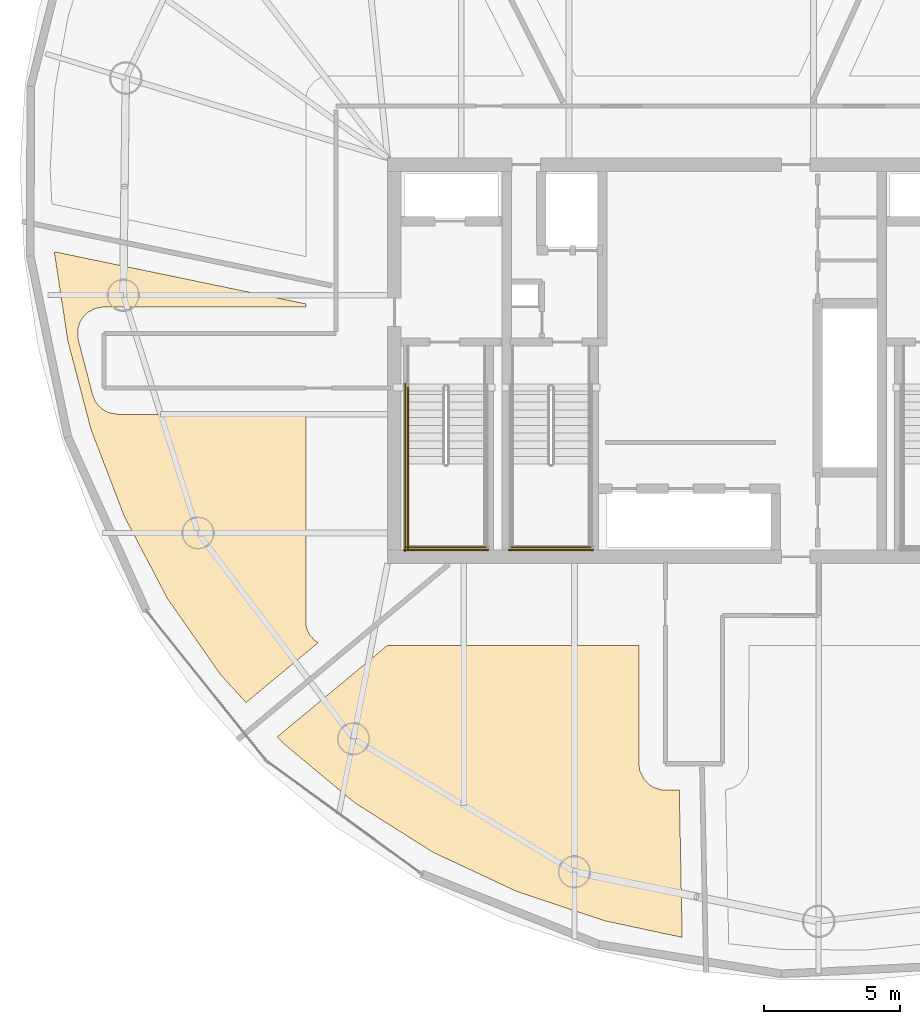
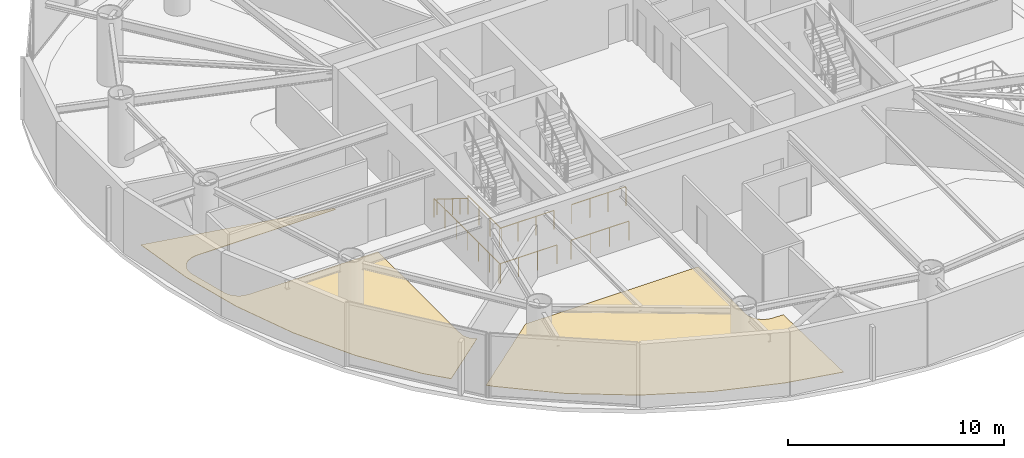
# One storey, part 15 of 18: 7 railings, 2 coverings.
"""IFC4 building model written with IfcOpenShell, lengths in metres."""

from ifc_helpers import new_model, si_unit, direction, frame, origin, origin_2d, place, context, subcontext, project, spatial, polyline, circle, outline, extrude, material, layer, layer_set, type_object, element, save


model = new_model("IFC4")

# Units and contexts
model_context = context("Model", 3, precision=1e-05, world=origin(), true_north=direction((0.0, 1.0)))
body_context = subcontext(model_context, "Body", "Model", "MODEL_VIEW")
ifc_project = project(units=[si_unit("LENGTHUNIT", "METRE"), si_unit("AREAUNIT", "SQUARE_METRE"), si_unit("VOLUMEUNIT", "CUBIC_METRE"), si_unit("PLANEANGLEUNIT", "RADIAN"), si_unit("MASSUNIT", "GRAM", prefix="KILO")], contexts=[model_context])

# Site, building, storey
site_placement = place(None, origin())
site = spatial("IfcSite", under=ifc_project, at=site_placement, CompositionType="ELEMENT")
building_placement = place(site_placement, origin())
building = spatial("IfcBuilding", under=site, at=building_placement, Name="Bramvorn Convention Spire", CompositionType="ELEMENT")
storey_placement = place(building_placement, frame((0.0, 0.0, 205.85009765625)))
storey = spatial("IfcBuildingStorey", under=building, at=storey_placement, Name="L52", CompositionType="ELEMENT", Elevation=205.85009765625)

# Coverings
ifc_material_1 = material(Name="Honed Dolomitic Limestone Terrazzo Flooring", Category="masonry")
ifc_layer = layer(ifc_material_1, 0.02490234375)
ifc_layer_set = layer_set([ifc_layer], Name="Honed Dolomitic Limestone Terrazzo Flooring - FLR-TERRAZZO-25")
covering_type = type_object("IfcCoveringType", Name="FLR-TERRAZZO-25", PredefinedType="FLOORING", material=ifc_layer_set)
covering_1_placement = place(storey_placement, origin())
element("IfcCovering", 1, at=covering_1_placement, inside=storey, type_object=covering_type, Name="L52 C-Suite Meeting Boardroom 4 raised floor finish", PredefinedType="FLOORING", context=body_context, shape_type="SweptSolid", body=[
    extrude(outline(polyline([(20.615478515625, 14.470703125), (21.55419921875, 13.4443359375), (24.2060546875, 15.647216796875), (24.060791015625, 15.742919921875), (23.893310546875, 15.927734375), (23.78662109375, 16.1533203125), (23.754150390625, 16.316650390625), (23.75, 24.030029296875), (16.855224609375, 24.030029296875), (16.513427734375, 24.09228515625), (16.338134765625, 24.179443359375), (16.12451171875, 24.3623046875), (16.011474609375, 24.52197265625), (15.928955078125, 24.712646484375), (15.374267578125, 26.84423828125), (15.376953125, 27.17041015625), (15.46435546875, 27.433837890625), (15.622802734375, 27.661865234375), (15.77099609375, 27.79150390625), (16.00732421875, 27.9140625), (16.279541015625, 27.968505859375), (23.75, 27.969970703125), (23.75, 28.086669921875), (14.51123046875, 30.002197265625), (15.009521484375, 26.71728515625), (15.85888671875, 23.476806640625), (17.074951171875, 20.30078125), (18.662109375, 17.273681640625), (20.615478515625, 14.470703125)])), origin(), (0.0, 0.0, 1.0), 0.02490234375),
])
covering_2_placement = place(storey_placement, origin())
element("IfcCovering", 2, at=covering_2_placement, inside=storey, type_object=covering_type, Name="L52 Managing Director Office 5 raised floor finish", PredefinedType="FLOORING", context=body_context, shape_type="SweptSolid", body=[
    extrude(outline(polyline([(37.572265625, 4.820556640625), (37.46435546875, 10.22998046875), (36.8134765625, 10.23974609375), (36.530029296875, 10.32568359375), (36.367431640625, 10.424560546875), (36.174560546875, 10.617431640625), (36.010498046875, 10.95849609375), (35.97998046875, 11.199951171875), (35.97998046875, 15.550048828125), (26.74951171875, 15.550048828125), (22.70263671875, 12.1884765625), (22.91748046875, 11.953857421875), (25.5361328125, 9.768310546875), (28.424560546875, 7.9443359375), (31.520751953125, 6.49609375), (34.748779296875, 5.42529296875), (37.572265625, 4.820556640625)])), origin(), (0.0, 0.0, 1.0), 0.02490234375),
])

# Railings
ifc_material_2 = material(Name="Painted Steel Balustrade & Guardrail", Category="steel")
railing_type_1 = type_object("IfcRailingType", Name="RL-STAIR-GUARD-1100", PredefinedType="GUARDRAIL", material=ifc_material_2)
railing_1_placement = place(storey_placement, frame((27.5, 22.199951171875, 1.9248046875)))
element("IfcRailing", 3, at=railing_1_placement, inside=storey, type_object=railing_type_1, Name="L52 ST1 stair guard 3", PredefinedType="GUARDRAIL", context=body_context, shape_type="SweptSolid", body=[
    extrude(circle(Radius=0.02392578125, at=origin_2d()), frame((0.0, 0.0, 1.076171875), z_axis=(0.0, -1.0, 0.0), x_axis=(1.0, 0.0, 0.0)), (0.0, 0.0, 1.0), 3.099853515625),
    extrude(circle(Radius=0.02099609375, at=origin_2d()), origin(), (0.0, 0.0, 1.0), 1.052001953125),
    extrude(circle(Radius=0.02099609375, at=origin_2d()), frame((0.0, -1.033203125, 0.0)), (0.0, 0.0, 1.0), 1.052001953125),
    extrude(circle(Radius=0.02099609375, at=origin_2d()), frame((0.0, -2.066650390625, 0.0)), (0.0, 0.0, 1.0), 1.052001953125),
    extrude(circle(Radius=0.02099609375, at=origin_2d()), frame((0.0, -3.099853515625, 0.0)), (0.0, 0.0, 1.0), 1.052001953125),
])
railing_2_placement = place(storey_placement, frame((27.449951171875, 19.14990234375, 1.9248046875)))
element("IfcRailing", 4, at=railing_2_placement, inside=storey, type_object=railing_type_1, Name="L52 ST1 stair guard 5", PredefinedType="GUARDRAIL", context=body_context, shape_type="SweptSolid", body=[
    extrude(circle(Radius=0.02392578125, at=origin_2d()), frame((0.0, 0.0, 1.076171875), z_axis=(1.0, 0.0, 0.0), x_axis=(0.0, 1.0, 0.0)), (0.0, 0.0, 1.0), 2.900146484375),
    extrude(circle(Radius=0.02099609375, at=origin_2d()), origin(), (0.0, 0.0, 1.0), 1.052001953125),
    extrude(circle(Radius=0.02099609375, at=origin_2d()), frame((0.966796875, 0.0, 0.0)), (0.0, 0.0, 1.0), 1.052001953125),
    extrude(circle(Radius=0.02099609375, at=origin_2d()), frame((1.933349609375, 0.0, 0.0)), (0.0, 0.0, 1.0), 1.052001953125),
    extrude(circle(Radius=0.02099609375, at=origin_2d()), frame((2.900146484375, 0.0, 0.0)), (0.0, 0.0, 1.0), 1.052001953125),
])
railing_3_placement = place(storey_placement, frame((27.39990234375, 25.14990234375, 0.0)))
element("IfcRailing", 5, at=railing_3_placement, inside=storey, type_object=railing_type_1, Name="L52 ST1 stair guard 10", PredefinedType="GUARDRAIL", context=body_context, shape_type="SweptSolid", body=[
    extrude(circle(Radius=0.02392578125, at=origin_2d()), frame((0.0, 0.0, 1.076171875), z_axis=(0.0, -1.0, 0.0), x_axis=(1.0, 0.0, 0.0)), (0.0, 0.0, 1.0), 6.14990234375),
    extrude(circle(Radius=0.02099609375, at=origin_2d()), origin(), (0.0, 0.0, 1.0), 1.052001953125),
    extrude(circle(Radius=0.02099609375, at=origin_2d()), frame((0.0, -1.02490234375, 0.0)), (0.0, 0.0, 1.0), 1.052001953125),
    extrude(circle(Radius=0.02099609375, at=origin_2d()), frame((0.0, -2.050048828125, 0.0)), (0.0, 0.0, 1.0), 1.052001953125),
    extrude(circle(Radius=0.02099609375, at=origin_2d()), frame((0.0, -3.074951171875, 0.0)), (0.0, 0.0, 1.0), 1.052001953125),
    extrude(circle(Radius=0.02099609375, at=origin_2d()), frame((0.0, -4.099853515625, 0.0)), (0.0, 0.0, 1.0), 1.052001953125),
    extrude(circle(Radius=0.02099609375, at=origin_2d()), frame((0.0, -5.125, 0.0)), (0.0, 0.0, 1.0), 1.052001953125),
    extrude(circle(Radius=0.02099609375, at=origin_2d()), frame((0.0, -6.14990234375, 0.0)), (0.0, 0.0, 1.0), 1.052001953125),
])
railing_4_placement = place(storey_placement, frame((27.35009765625, 19.050048828125, 0.0)))
element("IfcRailing", 6, at=railing_4_placement, inside=storey, type_object=railing_type_1, Name="L52 ST1 stair guard 12", PredefinedType="GUARDRAIL", context=body_context, shape_type="SweptSolid", body=[
    extrude(circle(Radius=0.02392578125, at=origin_2d()), frame((0.0, 0.0, 1.076171875), z_axis=(1.0, 0.0, 0.0), x_axis=(0.0, 1.0, 0.0)), (0.0, 0.0, 1.0), 3.099853515625),
    extrude(circle(Radius=0.02099609375, at=origin_2d()), origin(), (0.0, 0.0, 1.0), 1.052001953125),
    extrude(circle(Radius=0.02099609375, at=origin_2d()), frame((1.033203125, 0.0, 0.0)), (0.0, 0.0, 1.0), 1.052001953125),
    extrude(circle(Radius=0.02099609375, at=origin_2d()), frame((2.066650390625, 0.0, 0.0)), (0.0, 0.0, 1.0), 1.052001953125),
    extrude(circle(Radius=0.02099609375, at=origin_2d()), frame((3.099853515625, 0.0, 0.0)), (0.0, 0.0, 1.0), 1.052001953125),
])
railing_5_placement = place(storey_placement, frame((31.300048828125, 19.14990234375, 1.9248046875)))
element("IfcRailing", 7, at=railing_5_placement, inside=storey, type_object=railing_type_1, Name="L52 ST3 stair guard 5", PredefinedType="GUARDRAIL", context=body_context, shape_type="SweptSolid", body=[
    extrude(circle(Radius=0.02392578125, at=origin_2d()), frame((0.0, 0.0, 1.076171875), z_axis=(1.0, 0.0, 0.0), x_axis=(0.0, 1.0, 0.0)), (0.0, 0.0, 1.0), 2.89990234375),
    extrude(circle(Radius=0.02099609375, at=origin_2d()), origin(), (0.0, 0.0, 1.0), 1.052001953125),
    extrude(circle(Radius=0.02099609375, at=origin_2d()), frame((0.966552734375, 0.0, 0.0)), (0.0, 0.0, 1.0), 1.052001953125),
    extrude(circle(Radius=0.02099609375, at=origin_2d()), frame((1.933349609375, 0.0, 0.0)), (0.0, 0.0, 1.0), 1.052001953125),
    extrude(circle(Radius=0.02099609375, at=origin_2d()), frame((2.89990234375, 0.0, 0.0)), (0.0, 0.0, 1.0), 1.052001953125),
])
railing_6_placement = place(storey_placement, frame((31.199951171875, 19.050048828125, 0.0)))
element("IfcRailing", 8, at=railing_6_placement, inside=storey, type_object=railing_type_1, Name="L52 ST3 stair guard 12", PredefinedType="GUARDRAIL", context=body_context, shape_type="SweptSolid", body=[
    extrude(circle(Radius=0.02392578125, at=origin_2d()), frame((0.0, 0.0, 1.076171875), z_axis=(1.0, 0.0, 0.0), x_axis=(0.0, 1.0, 0.0)), (0.0, 0.0, 1.0), 3.10009765625),
    extrude(circle(Radius=0.02099609375, at=origin_2d()), origin(), (0.0, 0.0, 1.0), 1.052001953125),
    extrude(circle(Radius=0.02099609375, at=origin_2d()), frame((1.033447265625, 0.0, 0.0)), (0.0, 0.0, 1.0), 1.052001953125),
    extrude(circle(Radius=0.02099609375, at=origin_2d()), frame((2.066650390625, 0.0, 0.0)), (0.0, 0.0, 1.0), 1.052001953125),
    extrude(circle(Radius=0.02099609375, at=origin_2d()), frame((3.10009765625, 0.0, 0.0)), (0.0, 0.0, 1.0), 1.052001953125),
])
ifc_material_3 = material(Name="Brushed Bronze Tubular Handrail", Category="aluminium")
railing_type_2 = type_object("IfcRailingType", Name="RL-STAIR-HR-920", PredefinedType="HANDRAIL", material=ifc_material_3)
railing_7_placement = place(storey_placement, frame((27.5, 25.050048828125, 0.1748046875)))
element("IfcRailing", 9, at=railing_7_placement, inside=storey, type_object=railing_type_2, Name="L52 ST1 stair handrail 1", PredefinedType="HANDRAIL", context=body_context, shape_type="SweptSolid", body=[
    extrude(circle(Radius=0.02392578125, at=origin_2d()), frame((0.0, 0.0, 0.89599609375), z_axis=(0.0, -0.852179220489, 0.52325001306), x_axis=(1.0, 0.0, 0.0)), (0.0, 0.0, 1.0), 3.344482421875),
    extrude(circle(Radius=0.02099609375, at=origin_2d()), origin(), (0.0, 0.0, 1.0), 0.871826171875),
    extrude(circle(Radius=0.02099609375, at=origin_2d()), frame((0.0, -0.71240234375, 0.4375)), (0.0, 0.0, 1.0), 0.871826171875),
    extrude(circle(Radius=0.02099609375, at=origin_2d()), frame((0.0, -1.425048828125, 0.875)), (0.0, 0.0, 1.0), 0.871826171875),
    extrude(circle(Radius=0.02099609375, at=origin_2d()), frame((0.0, -2.1376953125, 1.3125)), (0.0, 0.0, 1.0), 0.871826171875),
    extrude(circle(Radius=0.02099609375, at=origin_2d()), frame((0.0, -2.85009765625, 1.75)), (0.0, 0.0, 1.0), 0.871826171875),
])

save(model, "model.ifc")
